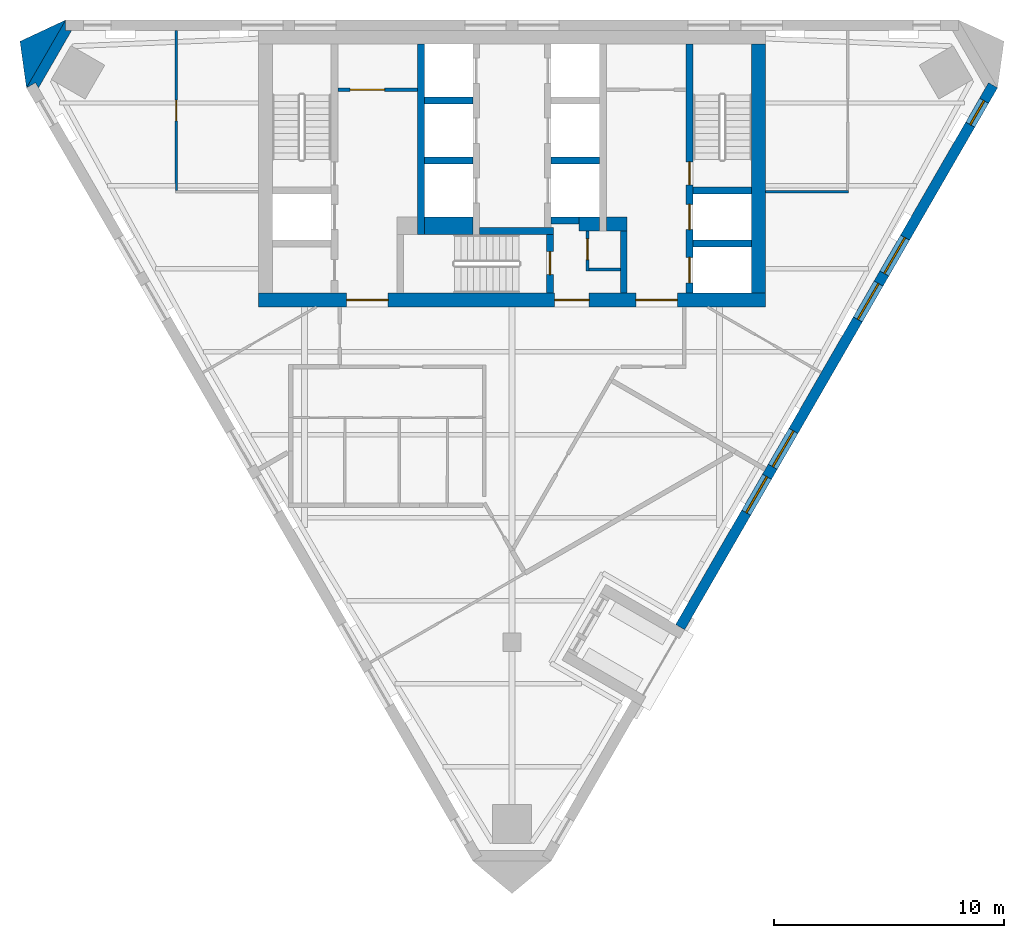
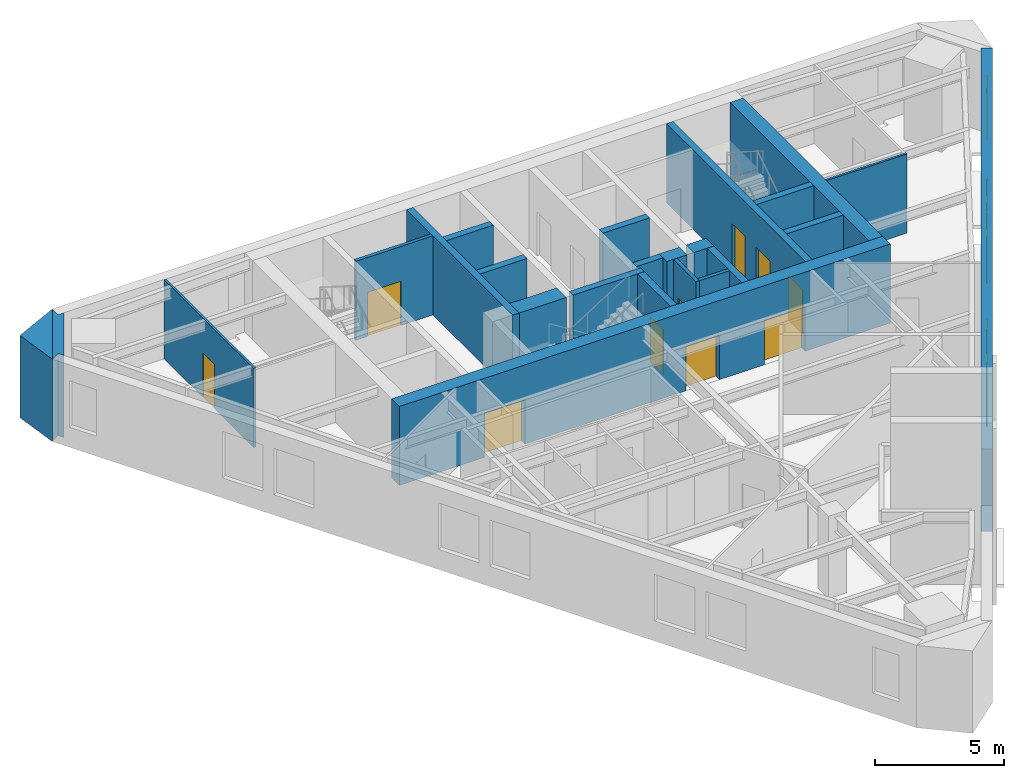
# One storey, part 4 of 7: 24 walls, 10 doors, 5 windows, 15 openings.
"""IFC4 building model written with IfcOpenShell, lengths in metres."""

from ifc_helpers import new_model, si_unit, direction, frame, frame_2d, origin, place, context, subcontext, project, spatial, polyline, rectangle, outline, extrude, material, layer, layer_set, type_object, element, fill, save


model = new_model("IFC4")

# Units and contexts
model_context = context("Model", 3, precision=1e-05, world=origin(), true_north=direction((0.0, 1.0)))
body_context = subcontext(model_context, "Body", "Model", "MODEL_VIEW")
ifc_project = project(units=[si_unit("LENGTHUNIT", "METRE"), si_unit("AREAUNIT", "SQUARE_METRE"), si_unit("VOLUMEUNIT", "CUBIC_METRE"), si_unit("PLANEANGLEUNIT", "RADIAN"), si_unit("MASSUNIT", "GRAM", prefix="KILO")], contexts=[model_context])

# Site, building, storey
site_placement = place(None, origin())
site = spatial("IfcSite", under=ifc_project, at=site_placement, CompositionType="ELEMENT")
building_placement = place(site_placement, origin())
building = spatial("IfcBuilding", under=site, at=building_placement, Name="Aloe Facet Convention Tower", CompositionType="ELEMENT")
storey_placement = place(building_placement, frame((0.0, 0.0, 215.300048828125)))
storey = spatial("IfcBuildingStorey", under=building, at=storey_placement, Name="L54", CompositionType="ELEMENT", Elevation=215.300048828125)

# Wall, opening, door
ifc_material_1 = material(Name="Concrete blockwork partition", Category="masonry")
ifc_layer_1 = layer(ifc_material_1, 0.14990234375)
ifc_layer_set_1 = layer_set([ifc_layer_1], Name="CR-W-PART150")
wall_type_1 = type_object("IfcWallType", Name="CR-W-PART150", PredefinedType="PARTITIONING", material=ifc_layer_set_1)
wall_1_placement = place(storey_placement, frame((72.449951171875, 131.97509765625, 0.0), z_axis=(0.0, 0.0, 1.0), x_axis=(1.0, 0.0, 0.0)))
wall_1 = element("IfcWall", 1, at=wall_1_placement, inside=storey, type_object=wall_type_1, Name="Core partition L54-007", PredefinedType="PARTITIONING", context=body_context, shape_type="SweptSolid", body=[
    extrude(rectangle(XDim=3.449951171875, YDim=0.14990234375, at=frame_2d((1.72509765625, 0.0))), origin(), (0.0, 0.0, 1.0), 3.75),
])
opening_1_placement = place(wall_1_placement, frame((0.52490234375, 0.0, 0.0)))
opening_1 = element("IfcOpeningElement", 2, at=opening_1_placement, cuts=wall_1, Name="Opening L54-CD14", PredefinedType="OPENING", context=body_context, shape_type="SweptSolid", body=[
    extrude(rectangle(XDim=1.5, YDim=2.10009765625, at=frame_2d((0.75, 1.050048828125))), frame((0.0, 0.0849609375, 0.0), z_axis=(0.0, -1.0, 0.0), x_axis=(1.0, 0.0, 0.0)), (0.0, 0.0, 1.0), 0.169921875),
])
ifc_material_2 = material(Name="Steel fire-resisting door set FD60", Category="steel")
door_type_1 = type_object("IfcDoorType", Name="CR-D-REFUGE-1500-FD60-DD", OperationType="DOUBLE_DOOR_DOUBLE_SWING", PredefinedType="DOOR", material=ifc_material_2)
door_1_placement = place(opening_1_placement, origin())
door_1 = element("IfcDoor", 3, at=door_1_placement, inside=storey, type_object=door_type_1, Name="Core door L54-CD14", OperationType="DOUBLE_DOOR_DOUBLE_SWING", OverallHeight=2.10009765625, OverallWidth=1.5, PredefinedType="DOOR", context=body_context, shape_type="SweptSolid", body=[
    extrude(rectangle(XDim=1.5, YDim=2.10009765625, at=frame_2d((0.75, 1.050048828125))), frame((0.0, 0.02490234375, 0.0), z_axis=(0.0, -1.0, 0.0), x_axis=(1.0, 0.0, 0.0)), (0.0, 0.0, 1.0), 0.050048828125),
])
fill(opening_1, door_1)

wall_2_placement = place(storey_placement, frame((83.27490234375, 125.85009765625, 0.0), z_axis=(0.0, 0.0, 1.0), x_axis=(0.0, -1.0, 0.0)))
wall_2 = element("IfcWall", 4, at=wall_2_placement, inside=storey, type_object=wall_type_1, Name="Core partition L54-022", PredefinedType="PARTITIONING", context=body_context, shape_type="SweptSolid", body=[
    extrude(rectangle(XDim=1.75, YDim=0.14990234375, at=frame_2d((0.875, 0.0))), origin(), (0.0, 0.0, 1.0), 3.75),
])
opening_2_placement = place(wall_2_placement, frame((0.35009765625, 0.0, 0.0)))
opening_2 = element("IfcOpeningElement", 5, at=opening_2_placement, cuts=wall_2, Name="Opening L54-CD12", PredefinedType="OPENING", context=body_context, shape_type="SweptSolid", body=[
    extrude(rectangle(XDim=0.89990234375, YDim=2.10009765625, at=frame_2d((0.449951171875, 1.050048828125))), frame((0.0, 0.0849609375, 0.0), z_axis=(0.0, -1.0, 0.0), x_axis=(1.0, 0.0, 0.0)), (0.0, 0.0, 1.0), 0.169921875),
])
ifc_material_3 = material(Name="Steel fire-resisting door set FD60", Category="steel")
door_type_2 = type_object("IfcDoorType", Name="CR-D-REFUGE-900-FD60-SRIGHT", OperationType="SINGLE_SWING_RIGHT", PredefinedType="DOOR", material=ifc_material_3)
door_2_placement = place(opening_2_placement, origin())
door_2 = element("IfcDoor", 6, at=door_2_placement, inside=storey, type_object=door_type_2, Name="Core door L54-CD12", OperationType="SINGLE_SWING_RIGHT", OverallHeight=2.10009765625, OverallWidth=0.89990234375, PredefinedType="DOOR", context=body_context, shape_type="SweptSolid", body=[
    extrude(rectangle(XDim=0.89990234375, YDim=2.10009765625, at=frame_2d((0.449951171875, 1.050048828125))), frame((0.0, 0.02490234375, 0.0), z_axis=(0.0, -1.0, 0.0), x_axis=(1.0, 0.0, 0.0)), (0.0, 0.0, 1.0), 0.050048828125),
])
fill(opening_2, door_2)

# Walls
wall_3_placement = place(storey_placement, frame((83.35009765625, 124.175048828125, 0.0), z_axis=(0.0, 0.0, 1.0), x_axis=(1.0, 0.0, 0.0)))
element("IfcWall", 7, at=wall_3_placement, inside=storey, type_object=wall_type_1, Name="Core partition L54-023", PredefinedType="PARTITIONING", context=body_context, shape_type="SweptSolid", body=[
    extrude(rectangle(XDim=1.349853515625, YDim=0.14990234375, at=frame_2d((0.6748046875, 0.0))), origin(), (0.0, 0.0, 1.0), 3.75),
])
ifc_material_4 = material(Name="Concrete C50/60", Category="concrete")
ifc_layer_2 = layer(ifc_material_4, 0.300048828125)
ifc_layer_set_2 = layer_set([ifc_layer_2], Name="CR-W-RC300-C5060")
wall_type_2 = type_object("IfcWallType", Name="CR-W-RC300-C5060", PredefinedType="SOLIDWALL", material=ifc_layer_set_2)
wall_4_placement = place(storey_placement, frame((76.050048828125, 133.949951171875, 0.0), z_axis=(0.0, 0.0, 1.0), x_axis=(0.0, -1.0, 0.0)))
element("IfcWall", 8, at=wall_4_placement, inside=storey, type_object=wall_type_2, Name="Core wall L54-010", PredefinedType="SOLIDWALL", context=body_context, shape_type="SweptSolid", body=[
    extrude(rectangle(XDim=8.25, YDim=0.300048828125, at=frame_2d((4.125, 0.0))), origin(), (0.0, 0.0, 1.0), 3.75),
])
for number, where, z_axis, x_axis, name in (
    (9, (76.199951171875, 131.5, 0.0), (0.0, 0.0, 1.0), (1.0, 0.0, 0.0), "Core wall L54-011"),
    (10, (76.199951171875, 128.89990234375, 0.0), (0.0, 0.0, 1.0), (1.0, 0.0, 0.0), "Core wall L54-012"),
):
    element("IfcWall", number, at=place(storey_placement, frame(where, z_axis=z_axis, x_axis=x_axis)), inside=storey, type_object=wall_type_2, Name=name, PredefinedType="SOLIDWALL", context=body_context, shape_type="SweptSolid", body=[
        extrude(rectangle(XDim=2.10009765625, YDim=0.300048828125, at=frame_2d((1.050048828125, 0.0))), origin(), (0.0, 0.0, 1.0), 3.75),
    ])
wall_5_placement = place(storey_placement, frame((78.60009765625, 125.85009765625, 0.0), z_axis=(0.0, 0.0, 1.0), x_axis=(1.0, 0.0, 0.0)))
element("IfcWall", 11, at=wall_5_placement, inside=storey, type_object=wall_type_2, Name="Core wall L54-015", PredefinedType="SOLIDWALL", context=body_context, shape_type="SweptSolid", body=[
    extrude(rectangle(XDim=3.199951171875, YDim=0.300048828125, at=frame_2d((1.60009765625, 0.0))), origin(), (0.0, 0.0, 1.0), 3.75),
])

# Wall, opening, door
wall_6_placement = place(storey_placement, frame((81.64990234375, 125.699951171875, 0.0), z_axis=(0.0, 0.0, 1.0), x_axis=(0.0, -1.0, 0.0)))
wall_6 = element("IfcWall", 12, at=wall_6_placement, inside=storey, type_object=wall_type_2, Name="Core wall L54-017", PredefinedType="SOLIDWALL", context=body_context, shape_type="SweptSolid", body=[
    extrude(rectangle(XDim=2.550048828125, YDim=0.300048828125, at=frame_2d((1.27490234375, 0.0))), origin(), (0.0, 0.0, 1.0), 3.75),
])
opening_3_placement = place(wall_6_placement, frame((0.75, 0.0, 0.0)))
opening_3 = element("IfcOpeningElement", 13, at=opening_3_placement, cuts=wall_6, Name="Opening L54-CD18", PredefinedType="OPENING", context=body_context, shape_type="SweptSolid", body=[
    extrude(rectangle(XDim=1.0, YDim=2.10009765625, at=frame_2d((0.5, 1.050048828125))), frame((0.0, 0.16015625, 0.0), z_axis=(0.0, -1.0, 0.0), x_axis=(1.0, 0.0, 0.0)), (0.0, 0.0, 1.0), 0.320068359375),
])
ifc_material_5 = material(Name="Steel fire-resisting door set FD120", Category="steel")
door_type_3 = type_object("IfcDoorType", Name="CR-D-STAIR-1000-FD120-SLEFT", OperationType="SINGLE_SWING_LEFT", PredefinedType="DOOR", material=ifc_material_5)
door_3_placement = place(opening_3_placement, origin())
door_3 = element("IfcDoor", 14, at=door_3_placement, inside=storey, type_object=door_type_3, Name="Core door L54-CD18", OperationType="SINGLE_SWING_LEFT", OverallHeight=2.10009765625, OverallWidth=1.0, PredefinedType="DOOR", context=body_context, shape_type="SweptSolid", body=[
    extrude(rectangle(XDim=1.0, YDim=2.10009765625, at=frame_2d((0.5, 1.050048828125))), frame((0.0, 0.02490234375, 0.0), z_axis=(0.0, -1.0, 0.0), x_axis=(1.0, 0.0, 0.0)), (0.0, 0.0, 1.0), 0.050048828125),
])
fill(opening_3, door_3)

# Walls
wall_7_placement = place(storey_placement, frame((81.699951171875, 128.89990234375, 0.0), z_axis=(0.0, 0.0, 1.0), x_axis=(1.0, 0.0, 0.0)))
element("IfcWall", 15, at=wall_7_placement, inside=storey, type_object=wall_type_2, Name="Core wall L54-019", PredefinedType="SOLIDWALL", context=body_context, shape_type="SweptSolid", body=[
    extrude(rectangle(XDim=2.10009765625, YDim=0.300048828125, at=frame_2d((1.050048828125, 0.0))), origin(), (0.0, 0.0, 1.0), 3.75),
])
wall_8_placement = place(storey_placement, frame((81.699951171875, 126.300048828125, 0.0), z_axis=(0.0, 0.0, 1.0), x_axis=(1.0, 0.0, 0.0)))
element("IfcWall", 16, at=wall_8_placement, inside=storey, type_object=wall_type_2, Name="Core wall L54-020", PredefinedType="SOLIDWALL", context=body_context, shape_type="SweptSolid", body=[
    extrude(rectangle(XDim=1.199951171875, YDim=0.300048828125, at=frame_2d((0.60009765625, 0.0))), origin(), (0.0, 0.0, 1.0), 3.75),
])
wall_9_placement = place(storey_placement, frame((84.85009765625, 125.85009765625, 0.0), z_axis=(0.0, 0.0, 1.0), x_axis=(0.0, -1.0, 0.0)))
element("IfcWall", 17, at=wall_9_placement, inside=storey, type_object=wall_type_2, Name="Core wall L54-027", PredefinedType="SOLIDWALL", context=body_context, shape_type="SweptSolid", body=[
    extrude(rectangle(XDim=2.7001953125, YDim=0.300048828125, at=frame_2d((1.35009765625, 0.0))), origin(), (0.0, 0.0, 1.0), 3.75),
])

# Wall, openings, doors
wall_10_placement = place(storey_placement, frame((87.699951171875, 133.949951171875, 0.0), z_axis=(0.0, 0.0, 1.0), x_axis=(0.0, -1.0, 0.0)))
wall_10 = element("IfcWall", 18, at=wall_10_placement, inside=storey, type_object=wall_type_2, Name="Core wall L54-028", PredefinedType="SOLIDWALL", context=body_context, shape_type="SweptSolid", body=[
    extrude(rectangle(XDim=10.800048828125, YDim=0.300048828125, at=frame_2d((5.39990234375, 0.0))), origin(), (0.0, 0.0, 1.0), 3.75),
])
opening_4_placement = place(wall_10_placement, frame((6.949951171875, 0.0, 0.0)))
opening_4 = element("IfcOpeningElement", 19, at=opening_4_placement, cuts=wall_10, Name="Opening LD-FF2-L54", PredefinedType="OPENING", context=body_context, shape_type="SweptSolid", body=[
    extrude(rectangle(XDim=1.10009765625, YDim=2.10009765625, at=frame_2d((0.550048828125, 1.050048828125))), frame((0.0, 0.16015625, 0.0), z_axis=(0.0, -1.0, 0.0), x_axis=(1.0, 0.0, 0.0)), (0.0, 0.0, 1.0), 0.320068359375),
])
opening_5_placement = place(wall_10_placement, frame((5.10009765625, 0.0, 0.0)))
opening_5 = element("IfcOpeningElement", 20, at=opening_5_placement, cuts=wall_10, Name="Opening L54-CD17", PredefinedType="OPENING", context=body_context, shape_type="SweptSolid", body=[
    extrude(rectangle(XDim=1.0, YDim=2.10009765625, at=frame_2d((0.5, 1.050048828125))), frame((0.0, 0.16015625, 0.0), z_axis=(0.0, -1.0, 0.0), x_axis=(1.0, 0.0, 0.0)), (0.0, 0.0, 1.0), 0.320068359375),
])
opening_6_placement = place(wall_10_placement, frame((9.25, 0.0, 0.0)))
opening_6 = element("IfcOpeningElement", 21, at=opening_6_placement, cuts=wall_10, Name="Opening LD-SV1-L54", PredefinedType="OPENING", context=body_context, shape_type="SweptSolid", body=[
    extrude(rectangle(XDim=1.10009765625, YDim=2.10009765625, at=frame_2d((0.550048828125, 1.050048828125))), frame((0.0, 0.16015625, 0.0), z_axis=(0.0, -1.0, 0.0), x_axis=(1.0, 0.0, 0.0)), (0.0, 0.0, 1.0), 0.320068359375),
])
door_4_placement = place(opening_5_placement, origin())
door_4 = element("IfcDoor", 22, at=door_4_placement, inside=storey, type_object=door_type_3, Name="Core door L54-CD17", OperationType="SINGLE_SWING_LEFT", OverallHeight=2.10009765625, OverallWidth=1.0, PredefinedType="DOOR", context=body_context, shape_type="SweptSolid", body=[
    extrude(rectangle(XDim=1.0, YDim=2.10009765625, at=frame_2d((0.5, 1.050048828125))), frame((0.0, 0.02490234375, 0.0), z_axis=(0.0, -1.0, 0.0), x_axis=(1.0, 0.0, 0.0)), (0.0, 0.0, 1.0), 0.050048828125),
])
fill(opening_5, door_4)
ifc_material_6 = material(Name="Stainless steel sliding landing door", Category="steel")
door_type_4 = type_object("IfcDoorType", Name="CR-LD-1100-FD120-_LEFT", OperationType="SLIDING_TO_LEFT", PredefinedType="DOOR", material=ifc_material_6)
door_5_placement = place(opening_4_placement, origin())
door_5 = element("IfcDoor", 23, at=door_5_placement, inside=storey, type_object=door_type_4, Name="Landing door FF2 L54", OperationType="SLIDING_TO_LEFT", OverallHeight=2.10009765625, OverallWidth=1.10009765625, PredefinedType="DOOR", context=body_context, shape_type="SweptSolid", body=[
    extrude(rectangle(XDim=1.10009765625, YDim=2.10009765625, at=frame_2d((0.550048828125, 1.050048828125))), frame((0.0, 0.02490234375, 0.0), z_axis=(0.0, -1.0, 0.0), x_axis=(1.0, 0.0, 0.0)), (0.0, 0.0, 1.0), 0.050048828125),
])
fill(opening_4, door_5)
door_6_placement = place(opening_6_placement, origin())
door_6 = element("IfcDoor", 24, at=door_6_placement, inside=storey, type_object=door_type_4, Name="Landing door SV1 L54", OperationType="SLIDING_TO_LEFT", OverallHeight=2.10009765625, OverallWidth=1.10009765625, PredefinedType="DOOR", context=body_context, shape_type="SweptSolid", body=[
    extrude(rectangle(XDim=1.10009765625, YDim=2.10009765625, at=frame_2d((0.550048828125, 1.050048828125))), frame((0.0, 0.02490234375, 0.0), z_axis=(0.0, -1.0, 0.0), x_axis=(1.0, 0.0, 0.0)), (0.0, 0.0, 1.0), 0.050048828125),
])
fill(opening_6, door_6)

# Walls
for number, where, z_axis, x_axis, name in (
    (25, (87.85009765625, 127.60009765625, 0.0), (0.0, 0.0, 1.0), (1.0, 0.0, 0.0), "Core wall L54-029"),
    (26, (87.85009765625, 125.300048828125, 0.0), (0.0, 0.0, 1.0), (1.0, 0.0, 0.0), "Core wall L54-030"),
):
    element("IfcWall", number, at=place(storey_placement, frame(where, z_axis=z_axis, x_axis=x_axis)), inside=storey, type_object=wall_type_2, Name=name, PredefinedType="SOLIDWALL", context=body_context, shape_type="SweptSolid", body=[
        extrude(rectangle(XDim=2.5498046875, YDim=0.300048828125, at=frame_2d((1.27490234375, 0.0))), origin(), (0.0, 0.0, 1.0), 3.75),
    ])

# Wall, openings, doors
ifc_material_7 = material(Name="Concrete C50/60", Category="concrete")
ifc_layer_3 = layer(ifc_material_7, 0.60009765625)
ifc_layer_set_3 = layer_set([ifc_layer_3], Name="CR-W-RC600-C5060")
wall_type_3 = type_object("IfcWallType", Name="CR-W-RC600-C5060", PredefinedType="SOLIDWALL", material=ifc_layer_set_3)
wall_11_placement = place(storey_placement, frame((69.0, 122.85009765625, 0.0), z_axis=(0.0, 0.0, 1.0), x_axis=(1.0, 0.0, 0.0)))
wall_11 = element("IfcWall", 27, at=wall_11_placement, inside=storey, type_object=wall_type_3, Name="Core wall L54-003", PredefinedType="SOLIDWALL", context=body_context, shape_type="SweptSolid", body=[
    extrude(rectangle(XDim=22.0, YDim=0.60009765625, at=frame_2d((11.0, 0.0))), origin(), (0.0, 0.0, 1.0), 3.75),
])
opening_7_placement = place(wall_11_placement, frame((16.375, 0.0, 0.0)))
opening_7 = element("IfcOpeningElement", 28, at=opening_7_placement, cuts=wall_11, Name="Opening L54-CD09", PredefinedType="OPENING", context=body_context, shape_type="SweptSolid", body=[
    extrude(rectangle(XDim=1.800048828125, YDim=2.10009765625, at=frame_2d((0.89990234375, 1.050048828125))), frame((0.0, 0.31005859375, 0.0), z_axis=(0.0, -1.0, 0.0), x_axis=(1.0, 0.0, 0.0)), (0.0, 0.0, 1.0), 0.6201171875),
])
opening_8_placement = place(wall_11_placement, frame((3.824951171875, 0.0, 0.0)))
opening_8 = element("IfcOpeningElement", 29, at=opening_8_placement, cuts=wall_11, Name="Opening L54-CD10", PredefinedType="OPENING", context=body_context, shape_type="SweptSolid", body=[
    extrude(rectangle(XDim=1.800048828125, YDim=2.10009765625, at=frame_2d((0.89990234375, 1.050048828125))), frame((0.0, 0.31005859375, 0.0), z_axis=(0.0, -1.0, 0.0), x_axis=(1.0, 0.0, 0.0)), (0.0, 0.0, 1.0), 0.6201171875),
])
opening_9_placement = place(wall_11_placement, frame((12.85009765625, 0.0, 0.0)))
opening_9 = element("IfcOpeningElement", 30, at=opening_9_placement, cuts=wall_11, Name="Opening L54-CD11", PredefinedType="OPENING", context=body_context, shape_type="SweptSolid", body=[
    extrude(rectangle(XDim=1.5, YDim=2.10009765625, at=frame_2d((0.75, 1.050048828125))), frame((0.0, 0.31005859375, 0.0), z_axis=(0.0, -1.0, 0.0), x_axis=(1.0, 0.0, 0.0)), (0.0, 0.0, 1.0), 0.6201171875),
])
ifc_material_8 = material(Name="Steel fire-resisting door set FD60", Category="steel")
door_type_5 = type_object("IfcDoorType", Name="CR-D-EXIT-1500-FD60-DD", OperationType="DOUBLE_DOOR_DOUBLE_SWING", PredefinedType="DOOR", material=ifc_material_8)
door_7_placement = place(opening_9_placement, origin())
door_7 = element("IfcDoor", 31, at=door_7_placement, inside=storey, type_object=door_type_5, Name="Core door L54-CD11", OperationType="DOUBLE_DOOR_DOUBLE_SWING", OverallHeight=2.10009765625, OverallWidth=1.5, PredefinedType="DOOR", context=body_context, shape_type="SweptSolid", body=[
    extrude(rectangle(XDim=1.5, YDim=2.10009765625, at=frame_2d((0.75, 1.050048828125))), frame((0.0, 0.02490234375, 0.0), z_axis=(0.0, -1.0, 0.0), x_axis=(1.0, 0.0, 0.0)), (0.0, 0.0, 1.0), 0.050048828125),
])
fill(opening_9, door_7)
ifc_material_9 = material(Name="Steel fire-resisting door set FD120", Category="steel")
door_type_6 = type_object("IfcDoorType", Name="CR-D-EXIT-1800-FD120-DD", OperationType="DOUBLE_DOOR_DOUBLE_SWING", PredefinedType="DOOR", material=ifc_material_9)
door_8_placement = place(opening_7_placement, origin())
door_8 = element("IfcDoor", 32, at=door_8_placement, inside=storey, type_object=door_type_6, Name="Core door L54-CD09", OperationType="DOUBLE_DOOR_DOUBLE_SWING", OverallHeight=2.10009765625, OverallWidth=1.800048828125, PredefinedType="DOOR", context=body_context, shape_type="SweptSolid", body=[
    extrude(rectangle(XDim=1.800048828125, YDim=2.10009765625, at=frame_2d((0.89990234375, 1.050048828125))), frame((0.0, 0.02490234375, 0.0), z_axis=(0.0, -1.0, 0.0), x_axis=(1.0, 0.0, 0.0)), (0.0, 0.0, 1.0), 0.050048828125),
])
fill(opening_7, door_8)
door_9_placement = place(opening_8_placement, origin())
door_9 = element("IfcDoor", 33, at=door_9_placement, inside=storey, type_object=door_type_6, Name="Core door L54-CD10", OperationType="DOUBLE_DOOR_DOUBLE_SWING", OverallHeight=2.10009765625, OverallWidth=1.800048828125, PredefinedType="DOOR", context=body_context, shape_type="SweptSolid", body=[
    extrude(rectangle(XDim=1.800048828125, YDim=2.10009765625, at=frame_2d((0.89990234375, 1.050048828125))), frame((0.0, 0.02490234375, 0.0), z_axis=(0.0, -1.0, 0.0), x_axis=(1.0, 0.0, 0.0)), (0.0, 0.0, 1.0), 0.050048828125),
])
fill(opening_8, door_9)

# Walls
wall_12_placement = place(storey_placement, frame((82.89990234375, 126.14990234375, 0.0), z_axis=(0.0, 0.0, 1.0), x_axis=(1.0, 0.0, 0.0)))
element("IfcWall", 34, at=wall_12_placement, inside=storey, type_object=wall_type_3, Name="Core wall L54-021", PredefinedType="SOLIDWALL", context=body_context, shape_type="SweptSolid", body=[
    extrude(rectangle(XDim=0.900146484375, YDim=0.60009765625, at=frame_2d((0.4501953125, 0.0))), origin(), (0.0, 0.0, 1.0), 3.75),
])
wall_13_placement = place(storey_placement, frame((84.10009765625, 126.14990234375, 0.0), z_axis=(0.0, 0.0, 1.0), x_axis=(1.0, 0.0, 0.0)))
element("IfcWall", 35, at=wall_13_placement, inside=storey, type_object=wall_type_3, Name="Core wall L54-026", PredefinedType="SOLIDWALL", context=body_context, shape_type="SweptSolid", body=[
    extrude(rectangle(XDim=0.89990234375, YDim=0.60009765625, at=frame_2d((0.449951171875, 0.0))), origin(), (0.0, 0.0, 1.0), 3.75),
])
wall_14_placement = place(storey_placement, frame((90.699951171875, 133.949951171875, 0.0), z_axis=(0.0, 0.0, 1.0), x_axis=(0.0, -1.0, 0.0)))
element("IfcWall", 36, at=wall_14_placement, inside=storey, type_object=wall_type_3, Name="Core wall L54-031", PredefinedType="SOLIDWALL", context=body_context, shape_type="SweptSolid", body=[
    extrude(rectangle(XDim=10.800048828125, YDim=0.60009765625, at=frame_2d((5.39990234375, 0.0))), origin(), (0.0, 0.0, 1.0), 3.75),
])
ifc_material_10 = material(Name="Concrete C50/60", Category="concrete")
ifc_layer_4 = layer(ifc_material_10, 0.75)
ifc_layer_set_4 = layer_set([ifc_layer_4], Name="CR-W-RC750-C5060")
wall_type_4 = type_object("IfcWallType", Name="CR-W-RC750-C5060", PredefinedType="SOLIDWALL", material=ifc_layer_set_4)
wall_15_placement = place(storey_placement, frame((76.199951171875, 126.074951171875, 0.0), z_axis=(0.0, 0.0, 1.0), x_axis=(1.0, 0.0, 0.0)))
element("IfcWall", 37, at=wall_15_placement, inside=storey, type_object=wall_type_4, Name="Core wall L54-013", PredefinedType="SOLIDWALL", context=body_context, shape_type="SweptSolid", body=[
    extrude(rectangle(XDim=2.10009765625, YDim=0.75, at=frame_2d((1.050048828125, 0.0))), origin(), (0.0, 0.0, 1.0), 3.75),
])
ifc_material_11 = material(Name="Precast concrete C40/50", Category="concrete")
ifc_layer_5 = layer(ifc_material_11, 0.449951171875)
ifc_layer_set_5 = layer_set([ifc_layer_5], Name="EV-WALL-PIER")
wall_type_5 = type_object("IfcWallType", Name="EV-WALL-PIER", PredefinedType="SOLIDWALL", material=ifc_layer_set_5)
wall_16_placement = place(storey_placement, frame((0.0, 0.0, -0.150146484375)))
element("IfcWall", 38, at=wall_16_placement, inside=storey, type_object=wall_type_5, Name="EP-L54-A", PredefinedType="SOLIDWALL", context=body_context, shape_type="SweptSolid", body=[
    extrude(outline(polyline([(60.635498046875, 135.0), (60.635498046875, 134.550048828125), (60.895263671875, 134.550048828125), (59.455078125, 132.055419921875), (59.3251953125, 132.280517578125), (58.935302734375, 132.055419921875), (60.635498046875, 135.0)])), origin(), (0.0, 0.0, 1.0), 3.900146484375),
])
ifc_material_12 = material(Name="Precast concrete C40/50", Category="concrete")
ifc_layer_6 = layer(ifc_material_12, 3.947998046875)
ifc_layer_set_6 = layer_set([ifc_layer_6], Name="EV-WALL-SPINE")
wall_type_6 = type_object("IfcWallType", Name="EV-WALL-SPINE", PredefinedType="SOLIDWALL", material=ifc_layer_set_6)
wall_17_placement = place(storey_placement, frame((0.0, 0.0, -0.150146484375)))
element("IfcWall", 39, at=wall_17_placement, inside=storey, type_object=wall_type_6, Name="SP-NW-L54", PredefinedType="SOLIDWALL", context=body_context, shape_type="SweptSolid", body=[
    extrude(outline(polyline([(60.635498046875, 135.0), (58.654052734375, 134.0732421875), (58.935302734375, 132.055419921875), (60.635498046875, 135.0)])), origin(), (0.0, 0.0, 1.0), 3.900146484375),
])

# Wall, openings, windows
ifc_material_13 = material(Name="Precast concrete C40/50", Category="concrete")
ifc_layer_7 = layer(ifc_material_13, 0.449951171875)
ifc_layer_set_7 = layer_set([ifc_layer_7], Name="EV-WALL-STONE")
wall_type_7 = type_object("IfcWallType", Name="EV-WALL-STONE", PredefinedType="SOLIDWALL", material=ifc_layer_set_7)
wall_18_placement = place(storey_placement, frame((87.29638671875, 108.658203125, -0.150146484375), z_axis=(0.0, 0.0, 1.0), x_axis=(0.500003227337, 0.866023540472, 0.0)))
wall_18 = element("IfcWall", 40, at=wall_18_placement, inside=storey, type_object=wall_type_7, Name="EW-L54-E02", PredefinedType="SOLIDWALL", context=body_context, shape_type="SweptSolid", body=[
    extrude(outline(polyline([(27.14697265625, 3.900146484375), (27.14697265625, 0.0), (0.0, 0.0), (0.0, 3.900146484375), (27.14697265625, 3.900146484375)])), frame((0.0, 0.22509765625, 0.0), z_axis=(0.0, -1.0, 0.0), x_axis=(1.0, 0.0, 0.0)), (0.0, 0.0, 1.0), 0.449951171875),
])
opening_10_placement = place(wall_18_placement, frame((5.732421875, 0.0, 0.949951171875)))
opening_10 = element("IfcOpeningElement", 41, at=opening_10_placement, cuts=wall_18, Name="Opening W-L54-E02", PredefinedType="OPENING", context=body_context, shape_type="SweptSolid", body=[
    extrude(rectangle(XDim=1.800048828125, YDim=2.199951171875, at=frame_2d((0.89990234375, 1.10009765625))), frame((0.0, 0.23486328125, 0.0), z_axis=(0.0, -1.0, 0.0), x_axis=(1.0, 0.0, 0.0)), (0.0, 0.0, 1.0), 0.469970703125),
])
opening_11_placement = place(wall_18_placement, frame((8.0322265625, 0.0, 0.949951171875)))
opening_11 = element("IfcOpeningElement", 42, at=opening_11_placement, cuts=wall_18, Name="Opening W-L54-E03", PredefinedType="OPENING", context=body_context, shape_type="SweptSolid", body=[
    extrude(rectangle(XDim=1.800048828125, YDim=2.199951171875, at=frame_2d((0.89990234375, 1.10009765625))), frame((0.0, 0.23486328125, 0.0), z_axis=(0.0, -1.0, 0.0), x_axis=(1.0, 0.0, 0.0)), (0.0, 0.0, 1.0), 0.469970703125),
])
opening_12_placement = place(wall_18_placement, frame((15.41455078125, 0.0, 0.949951171875)))
opening_12 = element("IfcOpeningElement", 43, at=opening_12_placement, cuts=wall_18, Name="Opening W-L54-E04", PredefinedType="OPENING", context=body_context, shape_type="SweptSolid", body=[
    extrude(rectangle(XDim=1.800048828125, YDim=2.199951171875, at=frame_2d((0.89990234375, 1.10009765625))), frame((0.0, 0.23486328125, 0.0), z_axis=(0.0, -1.0, 0.0), x_axis=(1.0, 0.0, 0.0)), (0.0, 0.0, 1.0), 0.469970703125),
])
opening_13_placement = place(wall_18_placement, frame((17.714599609375, 0.0, 0.949951171875)))
opening_13 = element("IfcOpeningElement", 44, at=opening_13_placement, cuts=wall_18, Name="Opening W-L54-E05", PredefinedType="OPENING", context=body_context, shape_type="SweptSolid", body=[
    extrude(rectangle(XDim=1.800048828125, YDim=2.199951171875, at=frame_2d((0.89990234375, 1.10009765625))), frame((0.0, 0.23486328125, 0.0), z_axis=(0.0, -1.0, 0.0), x_axis=(1.0, 0.0, 0.0)), (0.0, 0.0, 1.0), 0.469970703125),
])
opening_14_placement = place(wall_18_placement, frame((25.1708984375, 0.0, 0.949951171875)))
opening_14 = element("IfcOpeningElement", 45, at=opening_14_placement, cuts=wall_18, Name="Opening W-L54-E06", PredefinedType="OPENING", context=body_context, shape_type="SweptSolid", body=[
    extrude(rectangle(XDim=1.199951171875, YDim=2.199951171875, at=frame_2d((0.60009765625, 1.10009765625))), frame((0.0, 0.23486328125, 0.0), z_axis=(0.0, -1.0, 0.0), x_axis=(1.0, 0.0, 0.0)), (0.0, 0.0, 1.0), 0.469970703125),
])
ifc_material_14 = material(Name="Aluminium frame, clear double glazing", Category="aluminium")
window_type_1 = type_object("IfcWindowType", Name="EV-WIN-O12", PartitioningType="SINGLE_PANEL", PredefinedType="WINDOW", material=ifc_material_14)
window_1_placement = place(opening_14_placement, origin())
window_1 = element("IfcWindow", 46, at=window_1_placement, inside=storey, type_object=window_type_1, Name="W-L54-E06", OverallHeight=2.199951171875, OverallWidth=1.199951171875, PartitioningType="SINGLE_PANEL", PredefinedType="WINDOW", context=body_context, shape_type="SweptSolid", body=[
    extrude(rectangle(XDim=1.199951171875, YDim=2.199951171875, at=frame_2d((0.60009765625, 1.10009765625))), frame((0.0, 0.030029296875, 0.0), z_axis=(0.0, -1.0, 0.0), x_axis=(1.0, 0.0, 0.0)), (0.0, 0.0, 1.0), 0.06005859375),
])
fill(opening_14, window_1)
ifc_material_15 = material(Name="Aluminium frame, clear double glazing", Category="aluminium")
window_type_2 = type_object("IfcWindowType", Name="EV-WIN-O18", PartitioningType="SINGLE_PANEL", PredefinedType="WINDOW", material=ifc_material_15)
window_2_placement = place(opening_10_placement, origin())
window_2 = element("IfcWindow", 47, at=window_2_placement, inside=storey, type_object=window_type_2, Name="W-L54-E02", OverallHeight=2.199951171875, OverallWidth=1.800048828125, PartitioningType="SINGLE_PANEL", PredefinedType="WINDOW", context=body_context, shape_type="SweptSolid", body=[
    extrude(rectangle(XDim=1.800048828125, YDim=2.199951171875, at=frame_2d((0.89990234375, 1.10009765625))), frame((0.0, 0.030029296875, 0.0), z_axis=(0.0, -1.0, 0.0), x_axis=(1.0, 0.0, 0.0)), (0.0, 0.0, 1.0), 0.06005859375),
])
fill(opening_10, window_2)
window_3_placement = place(opening_11_placement, origin())
window_3 = element("IfcWindow", 48, at=window_3_placement, inside=storey, type_object=window_type_2, Name="W-L54-E03", OverallHeight=2.199951171875, OverallWidth=1.800048828125, PartitioningType="SINGLE_PANEL", PredefinedType="WINDOW", context=body_context, shape_type="SweptSolid", body=[
    extrude(rectangle(XDim=1.800048828125, YDim=2.199951171875, at=frame_2d((0.89990234375, 1.10009765625))), frame((0.0, 0.030029296875, 0.0), z_axis=(0.0, -1.0, 0.0), x_axis=(1.0, 0.0, 0.0)), (0.0, 0.0, 1.0), 0.06005859375),
])
fill(opening_11, window_3)
window_4_placement = place(opening_12_placement, origin())
window_4 = element("IfcWindow", 49, at=window_4_placement, inside=storey, type_object=window_type_2, Name="W-L54-E04", OverallHeight=2.199951171875, OverallWidth=1.800048828125, PartitioningType="SINGLE_PANEL", PredefinedType="WINDOW", context=body_context, shape_type="SweptSolid", body=[
    extrude(rectangle(XDim=1.800048828125, YDim=2.199951171875, at=frame_2d((0.89990234375, 1.10009765625))), frame((0.0, 0.030029296875, 0.0), z_axis=(0.0, -1.0, 0.0), x_axis=(1.0, 0.0, 0.0)), (0.0, 0.0, 1.0), 0.06005859375),
])
fill(opening_12, window_4)
window_5_placement = place(opening_13_placement, origin())
window_5 = element("IfcWindow", 50, at=window_5_placement, inside=storey, type_object=window_type_2, Name="W-L54-E05", OverallHeight=2.199951171875, OverallWidth=1.800048828125, PartitioningType="SINGLE_PANEL", PredefinedType="WINDOW", context=body_context, shape_type="SweptSolid", body=[
    extrude(rectangle(XDim=1.800048828125, YDim=2.199951171875, at=frame_2d((0.89990234375, 1.10009765625))), frame((0.0, 0.030029296875, 0.0), z_axis=(0.0, -1.0, 0.0), x_axis=(1.0, 0.0, 0.0)), (0.0, 0.0, 1.0), 0.06005859375),
])
fill(opening_13, window_5)

# Wall
ifc_material_16 = material(Name="Gypsum board partition on steel studs", Category="steel")
ifc_layer_8 = layer(ifc_material_16, 0.10009765625)
ifc_layer_set_8 = layer_set([ifc_layer_8], Name="IN-W-PART")
wall_type_8 = type_object("IfcWallType", Name="IN-W-PART", PredefinedType="PARTITIONING", material=ifc_layer_set_8)
wall_19_placement = place(storey_placement, frame((91.0, 127.547119140625, 0.0), z_axis=(0.0, 0.0, 1.0), x_axis=(0.99999967067, 0.000811578253, 0.0)))
element("IfcWall", 51, at=wall_19_placement, inside=storey, type_object=wall_type_8, Name="Partition L54-W035", PredefinedType="PARTITIONING", context=body_context, shape_type="SweptSolid", body=[
    extrude(rectangle(XDim=3.60986328125, YDim=0.10009765625, at=frame_2d((1.804931640625, 0.0))), origin(), (0.0, 0.0, 1.0), 3.75),
])

# Wall, opening, door
wall_20_placement = place(storey_placement, frame((65.4365234375, 134.5498046875, 0.0), z_axis=(0.0, 0.0, 1.0), x_axis=(0.000491814737, -0.999999879059, 0.0)))
wall_20 = element("IfcWall", 52, at=wall_20_placement, inside=storey, type_object=wall_type_8, Name="Partition L54-W038", PredefinedType="PARTITIONING", context=body_context, shape_type="SweptSolid", body=[
    extrude(rectangle(XDim=6.94970703125, YDim=0.10009765625, at=frame_2d((3.474853515625, 0.0))), origin(), (0.0, 0.0, 1.0), 3.75),
])
opening_15_placement = place(wall_20_placement, frame((3.02490234375, 0.0, 0.0)))
opening_15 = element("IfcOpeningElement", 53, at=opening_15_placement, cuts=wall_20, Name="Opening L54-007", PredefinedType="OPENING", context=body_context, shape_type="SweptSolid", body=[
    extrude(rectangle(XDim=0.89990234375, YDim=2.10009765625, at=frame_2d((0.449951171875, 1.050048828125))), frame((0.0, 0.06005859375, 0.0), z_axis=(0.0, -1.0, 0.0), x_axis=(1.0, 0.0, 0.0)), (0.0, 0.0, 1.0), 0.1201171875),
])
ifc_material_17 = material(Name="Timber door", Category="wood")
door_type_7 = type_object("IfcDoorType", Name="IN-OFF-D-ROOM", OperationType="SINGLE_SWING_LEFT", PredefinedType="DOOR", material=ifc_material_17)
door_10_placement = place(opening_15_placement, origin())
door_10 = element("IfcDoor", 54, at=door_10_placement, inside=storey, type_object=door_type_7, Name="Door L54-007", OperationType="SINGLE_SWING_LEFT", OverallHeight=2.10009765625, OverallWidth=0.89990234375, PredefinedType="DOOR", context=body_context, shape_type="SweptSolid", body=[
    extrude(rectangle(XDim=0.89990234375, YDim=2.10009765625, at=frame_2d((0.449951171875, 1.050048828125))), frame((0.0, 0.02490234375, 0.0), z_axis=(0.0, -1.0, 0.0), x_axis=(1.0, 0.0, 0.0)), (0.0, 0.0, 1.0), 0.050048828125),
])
fill(opening_15, door_10)

save(model, "model.ifc")
